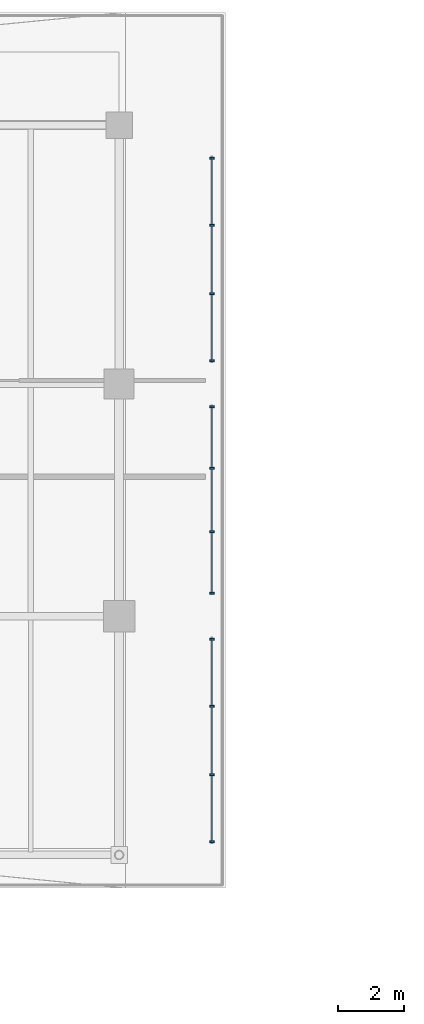
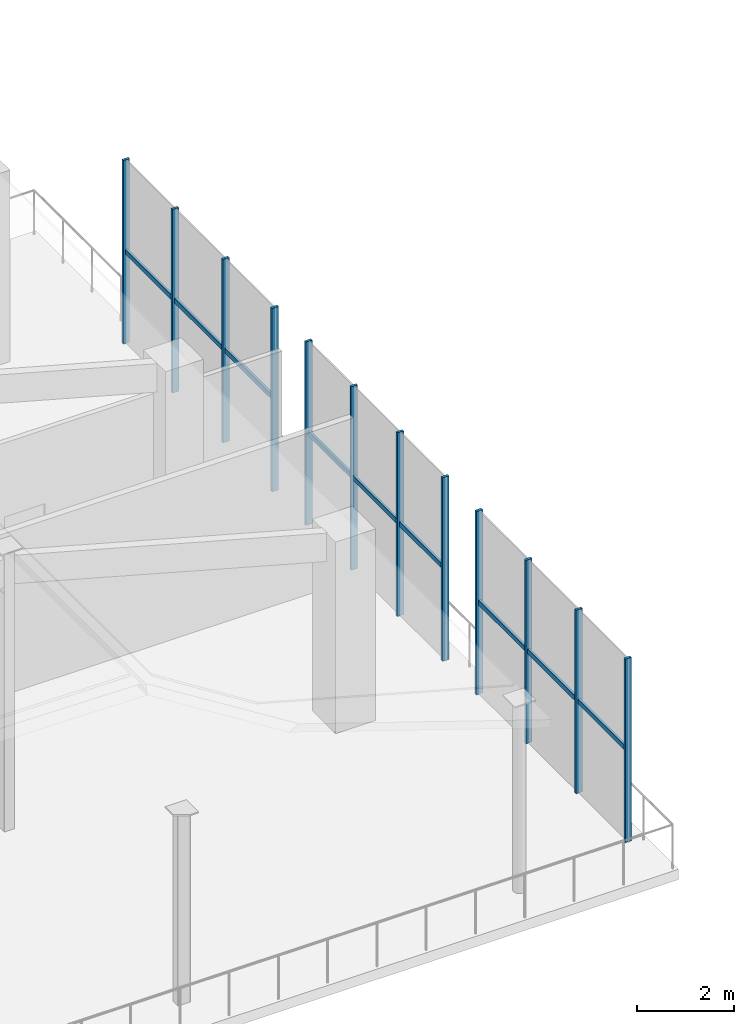
# One storey, part 39 of 70: 21 members, 3 elements without a shape of their own.
"""IFC4 building model written with IfcOpenShell, lengths in metres."""

from ifc_helpers import new_model, si_unit, direction, frame, origin, origin_2d, place, context, subcontext, project, spatial, rectangle, extrude, material, material_profile, profile_set, type_object, element, aggregate, save


model = new_model("IFC4")

# Units and contexts
model_context = context("Model", 3, precision=1e-05, world=origin(), true_north=direction((0.0, 1.0)))
body_context = subcontext(model_context, "Body", "Model", "MODEL_VIEW")
ifc_project = project(units=[si_unit("LENGTHUNIT", "METRE"), si_unit("AREAUNIT", "SQUARE_METRE"), si_unit("VOLUMEUNIT", "CUBIC_METRE"), si_unit("PLANEANGLEUNIT", "RADIAN"), si_unit("MASSUNIT", "GRAM", prefix="KILO")], contexts=[model_context])

# Site, building, storey
site_placement = place(None, origin())
site = spatial("IfcSite", under=ifc_project, at=site_placement, CompositionType="ELEMENT")
building_placement = place(site_placement, origin())
building = spatial("IfcBuilding", under=site, at=building_placement, Name="Brisemont Oceanarium", CompositionType="ELEMENT")
storey_placement = place(building_placement, frame((0.0, 0.0, 10.199951171875)))
storey = spatial("IfcBuildingStorey", under=building, at=storey_placement, Name="L02", CompositionType="ELEMENT", Elevation=10.199951171875)

# Curtain wall, members
ifc_material_1 = material(Name="Anodized Extruded Aluminum 6063-T6", Category="aluminium")
curtain_wall_type = type_object("IfcCurtainWallType", Name="CW-GAL-61X43", PredefinedType="NOTDEFINED", material=ifc_material_1)
curtain_wall_1_placement = place(storey_placement, origin())
curtain_wall_1 = element("IfcCurtainWall", 1, at=curtain_wall_1_placement, inside=storey, type_object=curtain_wall_type, Name="CW-13 curtain wall CW-V5E-MC-L02-01", PredefinedType="NOTDEFINED")
ifc_material_2 = material(Name="Anodized Extruded Aluminum 6063-T6", Category="aluminium")
ifc_material_profile_1 = material_profile(ifc_material_2, rectangle(XDim=0.06005859375, YDim=0.14990234375, at=origin_2d()), Name="CWM-60X150")
ifc_profile_set_1 = profile_set([ifc_material_profile_1], Name="Anodized Extruded Aluminum 6063-T6")
member_type_1 = type_object("IfcMemberType", Name="MEM-CWM-60", PredefinedType="MULLION", material=ifc_profile_set_1)
member_1_placement = place(storey_placement, frame((138.800048828125, 42.195068359375, 0.0), z_axis=(0.0, 0.0, 1.0), x_axis=(0.0, 1.0, 0.0)))
member_1 = element("IfcMember", 2, at=member_1_placement, type_object=member_type_1, Name="CW-V5E-MC-L02-01 mullion 1", PredefinedType="MULLION", context=body_context, shape_type="SweptSolid", body=[
    extrude(rectangle(XDim=0.06005859375, YDim=0.14990234375, at=origin_2d()), origin(), (0.0, 0.0, 1.0), 4.60009765625),
])
member_2_placement = place(storey_placement, frame((138.800048828125, 44.216796875, 0.0), z_axis=(0.0, 0.0, 1.0), x_axis=(0.0, 1.0, 0.0)))
member_2 = element("IfcMember", 3, at=member_2_placement, type_object=member_type_1, Name="CW-V5E-MC-L02-01 mullion 2", PredefinedType="MULLION", context=body_context, shape_type="SweptSolid", body=[
    extrude(rectangle(XDim=0.06005859375, YDim=0.14990234375, at=origin_2d()), origin(), (0.0, 0.0, 1.0), 4.60009765625),
])
member_3_placement = place(storey_placement, frame((138.800048828125, 46.283203125, 0.0), z_axis=(0.0, 0.0, 1.0), x_axis=(0.0, 1.0, 0.0)))
member_3 = element("IfcMember", 4, at=member_3_placement, type_object=member_type_1, Name="CW-V5E-MC-L02-01 mullion 3", PredefinedType="MULLION", context=body_context, shape_type="SweptSolid", body=[
    extrude(rectangle(XDim=0.06005859375, YDim=0.14990234375, at=origin_2d()), origin(), (0.0, 0.0, 1.0), 4.60009765625),
])
member_4_placement = place(storey_placement, frame((138.800048828125, 48.304931640625, 0.0), z_axis=(0.0, 0.0, 1.0), x_axis=(0.0, 1.0, 0.0)))
member_4 = element("IfcMember", 5, at=member_4_placement, type_object=member_type_1, Name="CW-V5E-MC-L02-01 mullion 4", PredefinedType="MULLION", context=body_context, shape_type="SweptSolid", body=[
    extrude(rectangle(XDim=0.06005859375, YDim=0.14990234375, at=origin_2d()), origin(), (0.0, 0.0, 1.0), 4.60009765625),
])

curtain_wall_2_placement = place(storey_placement, origin())
curtain_wall_2 = element("IfcCurtainWall", 6, at=curtain_wall_2_placement, inside=storey, type_object=curtain_wall_type, Name="CW-13 curtain wall CW-V5E-MC-L02-02", PredefinedType="NOTDEFINED")
member_5_placement = place(storey_placement, frame((138.800048828125, 49.695068359375, 0.0), z_axis=(0.0, 0.0, 1.0), x_axis=(0.0, 1.0, 0.0)))
member_5 = element("IfcMember", 7, at=member_5_placement, type_object=member_type_1, Name="CW-V5E-MC-L02-02 mullion 1", PredefinedType="MULLION", context=body_context, shape_type="SweptSolid", body=[
    extrude(rectangle(XDim=0.06005859375, YDim=0.14990234375, at=origin_2d()), origin(), (0.0, 0.0, 1.0), 4.60009765625),
])
member_6_placement = place(storey_placement, frame((138.800048828125, 51.550048828125, 0.0), z_axis=(0.0, 0.0, 1.0), x_axis=(0.0, 1.0, 0.0)))
member_6 = element("IfcMember", 8, at=member_6_placement, type_object=member_type_1, Name="CW-V5E-MC-L02-02 mullion 2", PredefinedType="MULLION", context=body_context, shape_type="SweptSolid", body=[
    extrude(rectangle(XDim=0.06005859375, YDim=0.14990234375, at=origin_2d()), origin(), (0.0, 0.0, 1.0), 4.60009765625),
])
member_7_placement = place(storey_placement, frame((138.800048828125, 53.449951171875, 0.0), z_axis=(0.0, 0.0, 1.0), x_axis=(0.0, 1.0, 0.0)))
member_7 = element("IfcMember", 9, at=member_7_placement, type_object=member_type_1, Name="CW-V5E-MC-L02-02 mullion 3", PredefinedType="MULLION", context=body_context, shape_type="SweptSolid", body=[
    extrude(rectangle(XDim=0.06005859375, YDim=0.14990234375, at=origin_2d()), origin(), (0.0, 0.0, 1.0), 4.60009765625),
])
member_8_placement = place(storey_placement, frame((138.800048828125, 55.304931640625, 0.0), z_axis=(0.0, 0.0, 1.0), x_axis=(0.0, 1.0, 0.0)))
member_8 = element("IfcMember", 10, at=member_8_placement, type_object=member_type_1, Name="CW-V5E-MC-L02-02 mullion 4", PredefinedType="MULLION", context=body_context, shape_type="SweptSolid", body=[
    extrude(rectangle(XDim=0.06005859375, YDim=0.14990234375, at=origin_2d()), origin(), (0.0, 0.0, 1.0), 4.60009765625),
])

curtain_wall_3_placement = place(storey_placement, origin())
curtain_wall_3 = element("IfcCurtainWall", 11, at=curtain_wall_3_placement, inside=storey, type_object=curtain_wall_type, Name="CW-13 curtain wall CW-V5E-MC-L02-03", PredefinedType="NOTDEFINED")
member_9_placement = place(storey_placement, frame((138.800048828125, 56.695068359375, 0.0), z_axis=(0.0, 0.0, 1.0), x_axis=(0.0, 1.0, 0.0)))
member_9 = element("IfcMember", 12, at=member_9_placement, type_object=member_type_1, Name="CW-V5E-MC-L02-03 mullion 1", PredefinedType="MULLION", context=body_context, shape_type="SweptSolid", body=[
    extrude(rectangle(XDim=0.06005859375, YDim=0.14990234375, at=origin_2d()), origin(), (0.0, 0.0, 1.0), 4.60009765625),
])
member_10_placement = place(storey_placement, frame((138.800048828125, 58.716796875, 0.0), z_axis=(0.0, 0.0, 1.0), x_axis=(0.0, 1.0, 0.0)))
member_10 = element("IfcMember", 13, at=member_10_placement, type_object=member_type_1, Name="CW-V5E-MC-L02-03 mullion 2", PredefinedType="MULLION", context=body_context, shape_type="SweptSolid", body=[
    extrude(rectangle(XDim=0.06005859375, YDim=0.14990234375, at=origin_2d()), origin(), (0.0, 0.0, 1.0), 4.60009765625),
])
member_11_placement = place(storey_placement, frame((138.800048828125, 60.783203125, 0.0), z_axis=(0.0, 0.0, 1.0), x_axis=(0.0, 1.0, 0.0)))
member_11 = element("IfcMember", 14, at=member_11_placement, type_object=member_type_1, Name="CW-V5E-MC-L02-03 mullion 3", PredefinedType="MULLION", context=body_context, shape_type="SweptSolid", body=[
    extrude(rectangle(XDim=0.06005859375, YDim=0.14990234375, at=origin_2d()), origin(), (0.0, 0.0, 1.0), 4.60009765625),
])
member_12_placement = place(storey_placement, frame((138.800048828125, 62.804931640625, 0.0), z_axis=(0.0, 0.0, 1.0), x_axis=(0.0, 1.0, 0.0)))
member_12 = element("IfcMember", 15, at=member_12_placement, type_object=member_type_1, Name="CW-V5E-MC-L02-03 mullion 4", PredefinedType="MULLION", context=body_context, shape_type="SweptSolid", body=[
    extrude(rectangle(XDim=0.06005859375, YDim=0.14990234375, at=origin_2d()), origin(), (0.0, 0.0, 1.0), 4.60009765625),
])

# Member
ifc_material_3 = material(Name="Anodized Extruded Aluminum 6063-T6", Category="aluminium")
ifc_material_profile_2 = material_profile(ifc_material_3, rectangle(XDim=0.06005859375, YDim=0.1201171875, at=origin_2d()), Name="CWT-60X120")
ifc_profile_set_2 = profile_set([ifc_material_profile_2], Name="Anodized Extruded Aluminum 6063-T6")
member_type_2 = type_object("IfcMemberType", Name="MEM-CWT-60", PredefinedType="USERDEFINED", material=ifc_profile_set_2)
member_13_placement = place(storey_placement, frame((138.800048828125, 42.1650390625, 2.300048828125), z_axis=(0.0, 1.0, 0.0), x_axis=(-1.0, 0.0, 0.0)))
member_13 = element("IfcMember", 16, at=member_13_placement, type_object=member_type_2, Name="CW-V5E-MC-L02-01 transom 1.1", ObjectType="TRANSOM", PredefinedType="USERDEFINED", context=body_context, shape_type="SweptSolid", body=[
    extrude(rectangle(XDim=0.06005859375, YDim=0.1201171875, at=origin_2d()), origin(), (0.0, 0.0, 1.0), 2.03662109375),
])

member_14_placement = place(storey_placement, frame((138.800048828125, 44.231689453125, 2.300048828125), z_axis=(0.0, 1.0, 0.0), x_axis=(-1.0, 0.0, 0.0)))
member_14 = element("IfcMember", 17, at=member_14_placement, type_object=member_type_2, Name="CW-V5E-MC-L02-01 transom 2.1", ObjectType="TRANSOM", PredefinedType="USERDEFINED", context=body_context, shape_type="SweptSolid", body=[
    extrude(rectangle(XDim=0.06005859375, YDim=0.1201171875, at=origin_2d()), origin(), (0.0, 0.0, 1.0), 2.03662109375),
])

member_15_placement = place(storey_placement, frame((138.800048828125, 46.29833984375, 2.300048828125), z_axis=(0.0, 1.0, 0.0), x_axis=(-1.0, 0.0, 0.0)))
member_15 = element("IfcMember", 18, at=member_15_placement, type_object=member_type_2, Name="CW-V5E-MC-L02-01 transom 3.1", ObjectType="TRANSOM", PredefinedType="USERDEFINED", context=body_context, shape_type="SweptSolid", body=[
    extrude(rectangle(XDim=0.06005859375, YDim=0.1201171875, at=origin_2d()), origin(), (0.0, 0.0, 1.0), 2.03662109375),
])

aggregate(curtain_wall_1, [member_1, member_2, member_3, member_4, member_13, member_14, member_15])

member_16_placement = place(storey_placement, frame((138.800048828125, 49.6650390625, 2.300048828125), z_axis=(0.0, 1.0, 0.0), x_axis=(-1.0, 0.0, 0.0)))
member_16 = element("IfcMember", 19, at=member_16_placement, type_object=member_type_2, Name="CW-V5E-MC-L02-02 transom 1.1", ObjectType="TRANSOM", PredefinedType="USERDEFINED", context=body_context, shape_type="SweptSolid", body=[
    extrude(rectangle(XDim=0.06005859375, YDim=0.1201171875, at=origin_2d()), origin(), (0.0, 0.0, 1.0), 1.869873046875),
])

member_17_placement = place(storey_placement, frame((138.800048828125, 51.56494140625, 2.300048828125), z_axis=(0.0, 1.0, 0.0), x_axis=(-1.0, 0.0, 0.0)))
member_17 = element("IfcMember", 20, at=member_17_placement, type_object=member_type_2, Name="CW-V5E-MC-L02-02 transom 2.1", ObjectType="TRANSOM", PredefinedType="USERDEFINED", context=body_context, shape_type="SweptSolid", body=[
    extrude(rectangle(XDim=0.06005859375, YDim=0.1201171875, at=origin_2d()), origin(), (0.0, 0.0, 1.0), 1.8701171875),
])

member_18_placement = place(storey_placement, frame((138.800048828125, 53.465087890625, 2.300048828125), z_axis=(0.0, 1.0, 0.0), x_axis=(-1.0, 0.0, 0.0)))
member_18 = element("IfcMember", 21, at=member_18_placement, type_object=member_type_2, Name="CW-V5E-MC-L02-02 transom 3.1", ObjectType="TRANSOM", PredefinedType="USERDEFINED", context=body_context, shape_type="SweptSolid", body=[
    extrude(rectangle(XDim=0.06005859375, YDim=0.1201171875, at=origin_2d()), origin(), (0.0, 0.0, 1.0), 1.869873046875),
])

aggregate(curtain_wall_2, [member_5, member_6, member_7, member_8, member_16, member_17, member_18])

member_19_placement = place(storey_placement, frame((138.800048828125, 56.6650390625, 2.300048828125), z_axis=(0.0, 1.0, 0.0), x_axis=(-1.0, 0.0, 0.0)))
member_19 = element("IfcMember", 22, at=member_19_placement, type_object=member_type_2, Name="CW-V5E-MC-L02-03 transom 1.1", ObjectType="TRANSOM", PredefinedType="USERDEFINED", context=body_context, shape_type="SweptSolid", body=[
    extrude(rectangle(XDim=0.06005859375, YDim=0.1201171875, at=origin_2d()), origin(), (0.0, 0.0, 1.0), 2.03662109375),
])

member_20_placement = place(storey_placement, frame((138.800048828125, 58.731689453125, 2.300048828125), z_axis=(0.0, 1.0, 0.0), x_axis=(-1.0, 0.0, 0.0)))
member_20 = element("IfcMember", 23, at=member_20_placement, type_object=member_type_2, Name="CW-V5E-MC-L02-03 transom 2.1", ObjectType="TRANSOM", PredefinedType="USERDEFINED", context=body_context, shape_type="SweptSolid", body=[
    extrude(rectangle(XDim=0.06005859375, YDim=0.1201171875, at=origin_2d()), origin(), (0.0, 0.0, 1.0), 2.03662109375),
])

member_21_placement = place(storey_placement, frame((138.800048828125, 60.79833984375, 2.300048828125), z_axis=(0.0, 1.0, 0.0), x_axis=(-1.0, 0.0, 0.0)))
member_21 = element("IfcMember", 24, at=member_21_placement, type_object=member_type_2, Name="CW-V5E-MC-L02-03 transom 3.1", ObjectType="TRANSOM", PredefinedType="USERDEFINED", context=body_context, shape_type="SweptSolid", body=[
    extrude(rectangle(XDim=0.06005859375, YDim=0.1201171875, at=origin_2d()), origin(), (0.0, 0.0, 1.0), 2.03662109375),
])

aggregate(curtain_wall_3, [member_9, member_10, member_11, member_12, member_19, member_20, member_21])

save(model, "model.ifc")
